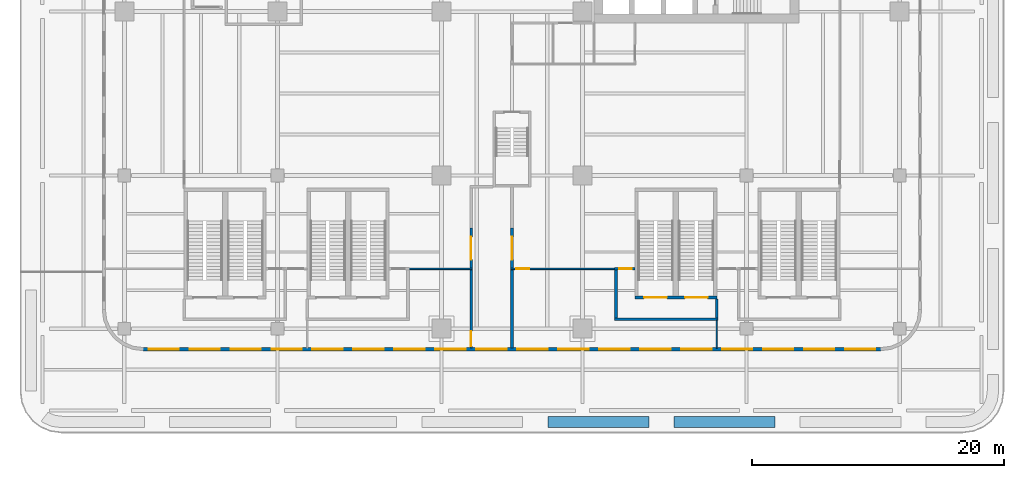
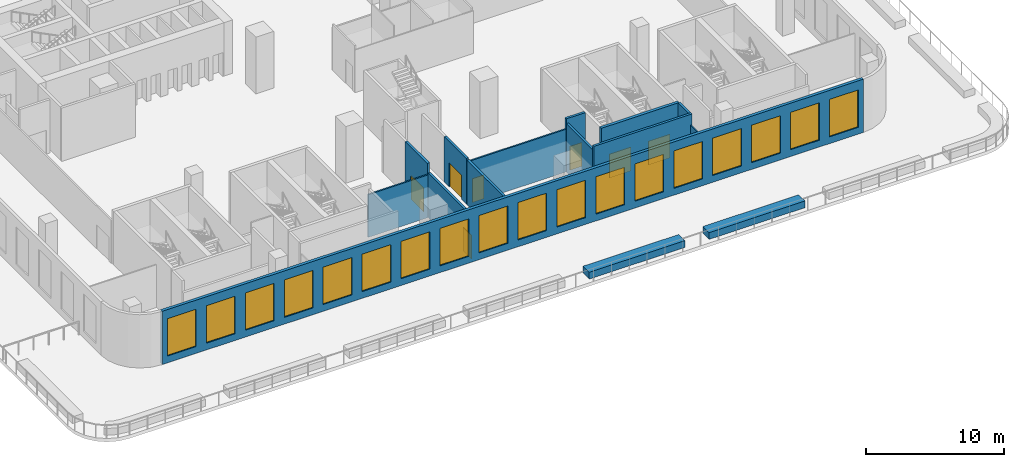
# One storey, part 6 of 17: 18 windows, 15 walls, 7 doors, 25 openings.
"""IFC4 building model written with IfcOpenShell, lengths in metres."""

from ifc_helpers import new_model, si_unit, direction, frame, frame_2d, origin, place, context, subcontext, project, spatial, polyline, rectangle, outline, extrude, source, transform, mapped, material, layer, layer_set, type_object, element, fill, save


model = new_model("IFC4")

# Units and contexts
model_context = context("Model", 3, precision=1e-05, world=origin(), true_north=direction((0.0, 1.0)))
body_context = subcontext(model_context, "Body", "Model", "MODEL_VIEW")
ifc_project = project(units=[si_unit("LENGTHUNIT", "METRE"), si_unit("AREAUNIT", "SQUARE_METRE"), si_unit("VOLUMEUNIT", "CUBIC_METRE"), si_unit("PLANEANGLEUNIT", "RADIAN"), si_unit("MASSUNIT", "GRAM", prefix="KILO")], contexts=[model_context])

# Site, building, storey
site_placement = place(None, origin())
site = spatial("IfcSite", under=ifc_project, at=site_placement, CompositionType="ELEMENT")
building_placement = place(site_placement, origin())
building = spatial("IfcBuilding", under=site, at=building_placement, Name="Trellis Farm Tower", CompositionType="ELEMENT")
storey_placement = place(building_placement, frame((0.0, 0.0, 24.0)))
storey = spatial("IfcBuildingStorey", under=building, at=storey_placement, Name="L04", CompositionType="ELEMENT", Elevation=24.0)

# Walls
ifc_material_1 = material(Name="Sandstone faced masonry planter", Category="masonry")
ifc_layer_1 = layer(ifc_material_1, 0.89990234375)
ifc_layer_set_1 = layer_set([ifc_layer_1], Name="TERRACE PLANTER BED 900")
wall_type_1 = type_object("IfcWallType", Name="TERRACE PLANTER BED 900", PredefinedType="USERDEFINED", material=ifc_layer_set_1)
placement = place(storey_placement, origin())
element("IfcWall", 1, at=placement, inside=storey, type_object=wall_type_1, Name="PLANTER bed", ObjectType="PLANTER", PredefinedType="USERDEFINED", context=body_context, shape_type="SweptSolid", body=[
    extrude(outline(polyline([(2.847412109375, -37.699951171875), (10.847412109375, -37.699951171875), (10.847412109375, -38.60009765625), (2.847412109375, -38.60009765625), (2.847412109375, -37.699951171875)])), origin(), (0.0, 0.0, 1.0), 0.60009765625),
])
element("IfcWall", 2, at=placement, inside=storey, type_object=wall_type_1, Name="PLANTER bed", ObjectType="PLANTER", PredefinedType="USERDEFINED", context=body_context, shape_type="SweptSolid", body=[
    extrude(outline(polyline([(12.847412109375, -37.699951171875), (20.847412109375, -37.699951171875), (20.847412109375, -38.60009765625), (12.847412109375, -38.60009765625), (12.847412109375, -37.699951171875)])), origin(), (0.0, 0.0, 1.0), 0.60009765625),
])

# Wall, openings, doors
ifc_material_2 = material(Name="Concrete C80/95", Category="concrete")
ifc_layer_2 = layer(ifc_material_2, 0.25)
ifc_layer_set_2 = layer_set([ifc_layer_2], Name="CORE STAIR ENCLOSURE WALL 250 CONCRETE C80/95")
wall_type_2 = type_object("IfcWallType", Name="CORE STAIR ENCLOSURE WALL 250 CONCRETE C80/95", PredefinedType="SHEAR", material=ifc_layer_set_2)
shared_shape_1 = source(origin(), body_context, "Body", "SweptSolid", [
    extrude(rectangle(XDim=6.5, YDim=0.25, at=frame_2d((3.25, 0.0))), origin(), (0.0, 0.0, 1.0), 4.699951171875),
])
wall_3_placement = place(storey_placement, frame((9.75, -28.27490234375, 0.0), z_axis=(0.0, 0.0, 1.0), x_axis=(1.0, 0.0, 0.0)))
wall_3 = element("IfcWall", 3, at=wall_3_placement, inside=storey, type_object=wall_type_2, Name="Podium stair enclosure wall", PredefinedType="SHEAR", context=body_context, shape_type="MappedRepresentation", body=[
    mapped(shared_shape_1, transform((0.0, 0.0, 0.0))),
])
shared_shape_2 = source(origin(), body_context, "Body", "SweptSolid", [
    extrude(rectangle(XDim=1.800048828125, YDim=2.10009765625, at=frame_2d((0.89990234375, 1.050048828125))), frame((0.0, 0.135009765625, 0.0), z_axis=(0.0, -1.0, 0.0), x_axis=(1.0, 0.0, 0.0)), (0.0, 0.0, 1.0), 0.27001953125),
])
opening_1_placement = place(wall_3_placement, frame((0.72509765625, 0.0, 0.0)))
opening_1 = element("IfcOpeningElement", 4, at=opening_1_placement, cuts=wall_3, Name="Opening DP13", PredefinedType="OPENING", context=body_context, shape_type="MappedRepresentation", body=[
    mapped(shared_shape_2, transform((0.0, 0.0, 0.0))),
])
opening_2_placement = place(wall_3_placement, frame((3.97509765625, 0.0, 0.0)))
opening_2 = element("IfcOpeningElement", 5, at=opening_2_placement, cuts=wall_3, Name="Opening DP14", PredefinedType="OPENING", context=body_context, shape_type="MappedRepresentation", body=[
    mapped(shared_shape_2, transform((0.0, 0.0, 0.0))),
])
ifc_material_3 = material(Name="Steel", Category="steel")
door_type_1 = type_object("IfcDoorType", Name="CORE FIRE DOOR DOUBLE 1800 X 2100", OperationType="DOUBLE_DOOR_SINGLE_SWING", PredefinedType="DOOR", material=ifc_material_3)
shared_shape_3 = source(origin(), body_context, "Body", "SweptSolid", [
    extrude(rectangle(XDim=1.800048828125, YDim=2.10009765625, at=frame_2d((0.89990234375, 1.050048828125))), frame((0.0, 0.02490234375, 0.0), z_axis=(0.0, -1.0, 0.0), x_axis=(1.0, 0.0, 0.0)), (0.0, 0.0, 1.0), 0.050048828125),
])
door_1_placement = place(opening_1_placement, origin())
door_1 = element("IfcDoor", 6, at=door_1_placement, inside=storey, type_object=door_type_1, Name="Podium stair door", OperationType="DOUBLE_DOOR_SINGLE_SWING", OverallHeight=2.10009765625, OverallWidth=1.800048828125, PredefinedType="DOOR", context=body_context, shape_type="MappedRepresentation", body=[
    mapped(shared_shape_3, transform((0.0, 0.0, 0.0))),
])
fill(opening_1, door_1)
door_2_placement = place(opening_2_placement, origin())
door_2 = element("IfcDoor", 7, at=door_2_placement, inside=storey, type_object=door_type_1, Name="Podium stair door", OperationType="DOUBLE_DOOR_SINGLE_SWING", OverallHeight=2.10009765625, OverallWidth=1.800048828125, PredefinedType="DOOR", context=body_context, shape_type="MappedRepresentation", body=[
    mapped(shared_shape_3, transform((0.0, 0.0, 0.0))),
])
fill(opening_2, door_2)

# Wall, openings, windows
ifc_material_4 = material(Name="Sandstone faced insulated wall", Category="masonry")
ifc_layer_3 = layer(ifc_material_4, 0.25)
ifc_layer_set_3 = layer_set([ifc_layer_3], Name="STONE CLAD EXTERNAL WALL 250")
wall_type_3 = type_object("IfcWallType", Name="STONE CLAD EXTERNAL WALL 250", PredefinedType="SOLIDWALL", material=ifc_layer_set_3)
shared_shape_4 = source(origin(), body_context, "Body", "SweptSolid", [
    extrude(rectangle(XDim=58.5, YDim=0.25, at=frame_2d((29.25, 0.0))), origin(), (0.0, 0.0, 1.0), 4.699951171875),
])
wall_4_placement = place(storey_placement, frame((-29.25, -32.375, 0.0), z_axis=(0.0, 0.0, 1.0), x_axis=(1.0, 0.0, 0.0)))
wall_4 = element("IfcWall", 8, at=wall_4_placement, inside=storey, type_object=wall_type_3, Name="EW5 F04", PredefinedType="SOLIDWALL", context=body_context, shape_type="MappedRepresentation", body=[
    mapped(shared_shape_4, transform((0.0, 0.0, 0.0))),
])
shared_shape_5 = source(origin(), body_context, "Body", "SweptSolid", [
    extrude(rectangle(XDim=2.39990234375, YDim=3.300048828125, at=frame_2d((1.199951171875, 1.64990234375))), frame((0.0, 0.135009765625, 0.0), z_axis=(0.0, -1.0, 0.0), x_axis=(1.0, 0.0, 0.0)), (0.0, 0.0, 1.0), 0.27001953125),
])
opening_3_placement = place(wall_4_placement, frame((0.425048828125, 0.0, 0.60009765625)))
opening_3 = element("IfcOpeningElement", 9, at=opening_3_placement, cuts=wall_4, Name="Opening WN3", PredefinedType="OPENING", context=body_context, shape_type="MappedRepresentation", body=[
    mapped(shared_shape_5, transform((0.0, 0.0, 0.0))),
])
opening_4_placement = place(wall_4_placement, frame((3.675048828125, 0.0, 0.60009765625)))
opening_4 = element("IfcOpeningElement", 10, at=opening_4_placement, cuts=wall_4, Name="Opening WN3", PredefinedType="OPENING", context=body_context, shape_type="MappedRepresentation", body=[
    mapped(shared_shape_5, transform((0.0, 0.0, 0.0))),
])
opening_5_placement = place(wall_4_placement, frame((6.925048828125, 0.0, 0.60009765625)))
opening_5 = element("IfcOpeningElement", 11, at=opening_5_placement, cuts=wall_4, Name="Opening WN3", PredefinedType="OPENING", context=body_context, shape_type="MappedRepresentation", body=[
    mapped(shared_shape_5, transform((0.0, 0.0, 0.0))),
])
opening_6_placement = place(wall_4_placement, frame((10.175048828125, 0.0, 0.60009765625)))
opening_6 = element("IfcOpeningElement", 12, at=opening_6_placement, cuts=wall_4, Name="Opening WN3", PredefinedType="OPENING", context=body_context, shape_type="MappedRepresentation", body=[
    mapped(shared_shape_5, transform((0.0, 0.0, 0.0))),
])
opening_7_placement = place(wall_4_placement, frame((13.425048828125, 0.0, 0.60009765625)))
opening_7 = element("IfcOpeningElement", 13, at=opening_7_placement, cuts=wall_4, Name="Opening WN3", PredefinedType="OPENING", context=body_context, shape_type="MappedRepresentation", body=[
    mapped(shared_shape_5, transform((0.0, 0.0, 0.0))),
])
opening_8_placement = place(wall_4_placement, frame((16.675048828125, 0.0, 0.60009765625)))
opening_8 = element("IfcOpeningElement", 14, at=opening_8_placement, cuts=wall_4, Name="Opening WN3", PredefinedType="OPENING", context=body_context, shape_type="MappedRepresentation", body=[
    mapped(shared_shape_5, transform((0.0, 0.0, 0.0))),
])
opening_9_placement = place(wall_4_placement, frame((19.925048828125, 0.0, 0.60009765625)))
opening_9 = element("IfcOpeningElement", 15, at=opening_9_placement, cuts=wall_4, Name="Opening WN3", PredefinedType="OPENING", context=body_context, shape_type="MappedRepresentation", body=[
    mapped(shared_shape_5, transform((0.0, 0.0, 0.0))),
])
opening_10_placement = place(wall_4_placement, frame((23.175048828125, 0.0, 0.60009765625)))
opening_10 = element("IfcOpeningElement", 16, at=opening_10_placement, cuts=wall_4, Name="Opening WN3", PredefinedType="OPENING", context=body_context, shape_type="MappedRepresentation", body=[
    mapped(shared_shape_5, transform((0.0, 0.0, 0.0))),
])
opening_11_placement = place(wall_4_placement, frame((26.425048828125, 0.0, 0.60009765625)))
opening_11 = element("IfcOpeningElement", 17, at=opening_11_placement, cuts=wall_4, Name="Opening WN3", PredefinedType="OPENING", context=body_context, shape_type="MappedRepresentation", body=[
    mapped(shared_shape_5, transform((0.0, 0.0, 0.0))),
])
opening_12_placement = place(wall_4_placement, frame((29.675048828125, 0.0, 0.60009765625)))
opening_12 = element("IfcOpeningElement", 18, at=opening_12_placement, cuts=wall_4, Name="Opening WN3", PredefinedType="OPENING", context=body_context, shape_type="MappedRepresentation", body=[
    mapped(shared_shape_5, transform((0.0, 0.0, 0.0))),
])
opening_13_placement = place(wall_4_placement, frame((32.925048828125, 0.0, 0.60009765625)))
opening_13 = element("IfcOpeningElement", 19, at=opening_13_placement, cuts=wall_4, Name="Opening WN3", PredefinedType="OPENING", context=body_context, shape_type="MappedRepresentation", body=[
    mapped(shared_shape_5, transform((0.0, 0.0, 0.0))),
])
opening_14_placement = place(wall_4_placement, frame((36.175048828125, 0.0, 0.60009765625)))
opening_14 = element("IfcOpeningElement", 20, at=opening_14_placement, cuts=wall_4, Name="Opening WN3", PredefinedType="OPENING", context=body_context, shape_type="MappedRepresentation", body=[
    mapped(shared_shape_5, transform((0.0, 0.0, 0.0))),
])
opening_15_placement = place(wall_4_placement, frame((39.425048828125, 0.0, 0.60009765625)))
opening_15 = element("IfcOpeningElement", 21, at=opening_15_placement, cuts=wall_4, Name="Opening WN3", PredefinedType="OPENING", context=body_context, shape_type="MappedRepresentation", body=[
    mapped(shared_shape_5, transform((0.0, 0.0, 0.0))),
])
opening_16_placement = place(wall_4_placement, frame((42.675048828125, 0.0, 0.60009765625)))
opening_16 = element("IfcOpeningElement", 22, at=opening_16_placement, cuts=wall_4, Name="Opening WN3", PredefinedType="OPENING", context=body_context, shape_type="MappedRepresentation", body=[
    mapped(shared_shape_5, transform((0.0, 0.0, 0.0))),
])
opening_17_placement = place(wall_4_placement, frame((45.925048828125, 0.0, 0.60009765625)))
opening_17 = element("IfcOpeningElement", 23, at=opening_17_placement, cuts=wall_4, Name="Opening WN3", PredefinedType="OPENING", context=body_context, shape_type="MappedRepresentation", body=[
    mapped(shared_shape_5, transform((0.0, 0.0, 0.0))),
])
opening_18_placement = place(wall_4_placement, frame((49.175048828125, 0.0, 0.60009765625)))
opening_18 = element("IfcOpeningElement", 24, at=opening_18_placement, cuts=wall_4, Name="Opening WN3", PredefinedType="OPENING", context=body_context, shape_type="MappedRepresentation", body=[
    mapped(shared_shape_5, transform((0.0, 0.0, 0.0))),
])
opening_19_placement = place(wall_4_placement, frame((52.425048828125, 0.0, 0.60009765625)))
opening_19 = element("IfcOpeningElement", 25, at=opening_19_placement, cuts=wall_4, Name="Opening WN3", PredefinedType="OPENING", context=body_context, shape_type="MappedRepresentation", body=[
    mapped(shared_shape_5, transform((0.0, 0.0, 0.0))),
])
opening_20_placement = place(wall_4_placement, frame((55.675048828125, 0.0, 0.60009765625)))
opening_20 = element("IfcOpeningElement", 26, at=opening_20_placement, cuts=wall_4, Name="Opening WN3", PredefinedType="OPENING", context=body_context, shape_type="MappedRepresentation", body=[
    mapped(shared_shape_5, transform((0.0, 0.0, 0.0))),
])
ifc_material_5 = material(Name="Clear insulated glass", Category="glass")
window_type = type_object("IfcWindowType", Name="PODIUM WINDOW 2400x3300", PartitioningType="SINGLE_PANEL", PredefinedType="WINDOW", material=ifc_material_5)
shared_shape_6 = source(origin(), body_context, "Body", "SweptSolid", [
    extrude(rectangle(XDim=2.39990234375, YDim=3.300048828125, at=frame_2d((1.199951171875, 1.64990234375))), frame((0.0, 0.030029296875, 0.0), z_axis=(0.0, -1.0, 0.0), x_axis=(1.0, 0.0, 0.0)), (0.0, 0.0, 1.0), 0.06005859375),
])
window_1_placement = place(opening_3_placement, origin())
window_1 = element("IfcWindow", 27, at=window_1_placement, inside=storey, type_object=window_type, Name="WN3 053", OverallHeight=3.300048828125, OverallWidth=2.39990234375, PartitioningType="SINGLE_PANEL", PredefinedType="WINDOW", context=body_context, shape_type="MappedRepresentation", body=[
    mapped(shared_shape_6, transform((0.0, 0.0, 0.0))),
])
fill(opening_3, window_1)
window_2_placement = place(opening_4_placement, origin())
window_2 = element("IfcWindow", 28, at=window_2_placement, inside=storey, type_object=window_type, Name="WN3 054", OverallHeight=3.300048828125, OverallWidth=2.39990234375, PartitioningType="SINGLE_PANEL", PredefinedType="WINDOW", context=body_context, shape_type="MappedRepresentation", body=[
    mapped(shared_shape_6, transform((0.0, 0.0, 0.0))),
])
fill(opening_4, window_2)
window_3_placement = place(opening_5_placement, origin())
window_3 = element("IfcWindow", 29, at=window_3_placement, inside=storey, type_object=window_type, Name="WN3 055", OverallHeight=3.300048828125, OverallWidth=2.39990234375, PartitioningType="SINGLE_PANEL", PredefinedType="WINDOW", context=body_context, shape_type="MappedRepresentation", body=[
    mapped(shared_shape_6, transform((0.0, 0.0, 0.0))),
])
fill(opening_5, window_3)
window_4_placement = place(opening_6_placement, origin())
window_4 = element("IfcWindow", 30, at=window_4_placement, inside=storey, type_object=window_type, Name="WN3 056", OverallHeight=3.300048828125, OverallWidth=2.39990234375, PartitioningType="SINGLE_PANEL", PredefinedType="WINDOW", context=body_context, shape_type="MappedRepresentation", body=[
    mapped(shared_shape_6, transform((0.0, 0.0, 0.0))),
])
fill(opening_6, window_4)
window_5_placement = place(opening_7_placement, origin())
window_5 = element("IfcWindow", 31, at=window_5_placement, inside=storey, type_object=window_type, Name="WN3 057", OverallHeight=3.300048828125, OverallWidth=2.39990234375, PartitioningType="SINGLE_PANEL", PredefinedType="WINDOW", context=body_context, shape_type="MappedRepresentation", body=[
    mapped(shared_shape_6, transform((0.0, 0.0, 0.0))),
])
fill(opening_7, window_5)
window_6_placement = place(opening_8_placement, origin())
window_6 = element("IfcWindow", 32, at=window_6_placement, inside=storey, type_object=window_type, Name="WN3 058", OverallHeight=3.300048828125, OverallWidth=2.39990234375, PartitioningType="SINGLE_PANEL", PredefinedType="WINDOW", context=body_context, shape_type="MappedRepresentation", body=[
    mapped(shared_shape_6, transform((0.0, 0.0, 0.0))),
])
fill(opening_8, window_6)
window_7_placement = place(opening_9_placement, origin())
window_7 = element("IfcWindow", 33, at=window_7_placement, inside=storey, type_object=window_type, Name="WN3 059", OverallHeight=3.300048828125, OverallWidth=2.39990234375, PartitioningType="SINGLE_PANEL", PredefinedType="WINDOW", context=body_context, shape_type="MappedRepresentation", body=[
    mapped(shared_shape_6, transform((0.0, 0.0, 0.0))),
])
fill(opening_9, window_7)
window_8_placement = place(opening_10_placement, origin())
window_8 = element("IfcWindow", 34, at=window_8_placement, inside=storey, type_object=window_type, Name="WN3 060", OverallHeight=3.300048828125, OverallWidth=2.39990234375, PartitioningType="SINGLE_PANEL", PredefinedType="WINDOW", context=body_context, shape_type="MappedRepresentation", body=[
    mapped(shared_shape_6, transform((0.0, 0.0, 0.0))),
])
fill(opening_10, window_8)
window_9_placement = place(opening_11_placement, origin())
window_9 = element("IfcWindow", 35, at=window_9_placement, inside=storey, type_object=window_type, Name="WN3 061", OverallHeight=3.300048828125, OverallWidth=2.39990234375, PartitioningType="SINGLE_PANEL", PredefinedType="WINDOW", context=body_context, shape_type="MappedRepresentation", body=[
    mapped(shared_shape_6, transform((0.0, 0.0, 0.0))),
])
fill(opening_11, window_9)
window_10_placement = place(opening_12_placement, origin())
window_10 = element("IfcWindow", 36, at=window_10_placement, inside=storey, type_object=window_type, Name="WN3 062", OverallHeight=3.300048828125, OverallWidth=2.39990234375, PartitioningType="SINGLE_PANEL", PredefinedType="WINDOW", context=body_context, shape_type="MappedRepresentation", body=[
    mapped(shared_shape_6, transform((0.0, 0.0, 0.0))),
])
fill(opening_12, window_10)
window_11_placement = place(opening_13_placement, origin())
window_11 = element("IfcWindow", 37, at=window_11_placement, inside=storey, type_object=window_type, Name="WN3 063", OverallHeight=3.300048828125, OverallWidth=2.39990234375, PartitioningType="SINGLE_PANEL", PredefinedType="WINDOW", context=body_context, shape_type="MappedRepresentation", body=[
    mapped(shared_shape_6, transform((0.0, 0.0, 0.0))),
])
fill(opening_13, window_11)
window_12_placement = place(opening_14_placement, origin())
window_12 = element("IfcWindow", 38, at=window_12_placement, inside=storey, type_object=window_type, Name="WN3 064", OverallHeight=3.300048828125, OverallWidth=2.39990234375, PartitioningType="SINGLE_PANEL", PredefinedType="WINDOW", context=body_context, shape_type="MappedRepresentation", body=[
    mapped(shared_shape_6, transform((0.0, 0.0, 0.0))),
])
fill(opening_14, window_12)
window_13_placement = place(opening_15_placement, origin())
window_13 = element("IfcWindow", 39, at=window_13_placement, inside=storey, type_object=window_type, Name="WN3 065", OverallHeight=3.300048828125, OverallWidth=2.39990234375, PartitioningType="SINGLE_PANEL", PredefinedType="WINDOW", context=body_context, shape_type="MappedRepresentation", body=[
    mapped(shared_shape_6, transform((0.0, 0.0, 0.0))),
])
fill(opening_15, window_13)
window_14_placement = place(opening_16_placement, origin())
window_14 = element("IfcWindow", 40, at=window_14_placement, inside=storey, type_object=window_type, Name="WN3 066", OverallHeight=3.300048828125, OverallWidth=2.39990234375, PartitioningType="SINGLE_PANEL", PredefinedType="WINDOW", context=body_context, shape_type="MappedRepresentation", body=[
    mapped(shared_shape_6, transform((0.0, 0.0, 0.0))),
])
fill(opening_16, window_14)
window_15_placement = place(opening_17_placement, origin())
window_15 = element("IfcWindow", 41, at=window_15_placement, inside=storey, type_object=window_type, Name="WN3 067", OverallHeight=3.300048828125, OverallWidth=2.39990234375, PartitioningType="SINGLE_PANEL", PredefinedType="WINDOW", context=body_context, shape_type="MappedRepresentation", body=[
    mapped(shared_shape_6, transform((0.0, 0.0, 0.0))),
])
fill(opening_17, window_15)
window_16_placement = place(opening_18_placement, origin())
window_16 = element("IfcWindow", 42, at=window_16_placement, inside=storey, type_object=window_type, Name="WN3 068", OverallHeight=3.300048828125, OverallWidth=2.39990234375, PartitioningType="SINGLE_PANEL", PredefinedType="WINDOW", context=body_context, shape_type="MappedRepresentation", body=[
    mapped(shared_shape_6, transform((0.0, 0.0, 0.0))),
])
fill(opening_18, window_16)
window_17_placement = place(opening_19_placement, origin())
window_17 = element("IfcWindow", 43, at=window_17_placement, inside=storey, type_object=window_type, Name="WN3 069", OverallHeight=3.300048828125, OverallWidth=2.39990234375, PartitioningType="SINGLE_PANEL", PredefinedType="WINDOW", context=body_context, shape_type="MappedRepresentation", body=[
    mapped(shared_shape_6, transform((0.0, 0.0, 0.0))),
])
fill(opening_19, window_17)
window_18_placement = place(opening_20_placement, origin())
window_18 = element("IfcWindow", 44, at=window_18_placement, inside=storey, type_object=window_type, Name="WN3 070", OverallHeight=3.300048828125, OverallWidth=2.39990234375, PartitioningType="SINGLE_PANEL", PredefinedType="WINDOW", context=body_context, shape_type="MappedRepresentation", body=[
    mapped(shared_shape_6, transform((0.0, 0.0, 0.0))),
])
fill(opening_20, window_18)

# Wall
ifc_material_6 = material(Name="Lightweight blockwork, plastered", Category="masonry")
ifc_layer_4 = layer(ifc_material_6, 0.199951171875)
ifc_layer_set_4 = layer_set([ifc_layer_4], Name="BLOCK WALL 200 EI 120")
wall_type_4 = type_object("IfcWallType", Name="BLOCK WALL 200 EI 120", PredefinedType="PARTITIONING", material=ifc_layer_set_4)
shared_shape_7 = source(origin(), body_context, "Body", "SweptSolid", [
    extrude(rectangle(XDim=8.2001953125, YDim=0.199951171875, at=frame_2d((4.10009765625, 0.0))), origin(), (0.0, 0.0, 1.0), 4.699951171875),
])
wall_5_placement = place(storey_placement, frame((8.14990234375, -30.0, 0.0), z_axis=(0.0, 0.0, 1.0), x_axis=(1.0, 0.0, 0.0)))
element("IfcWall", 45, at=wall_5_placement, inside=storey, type_object=wall_type_4, Name="Partition PW3", PredefinedType="PARTITIONING", context=body_context, shape_type="MappedRepresentation", body=[
    mapped(shared_shape_7, transform((0.0, 0.0, 0.0))),
])

# Wall, opening, door
shared_shape_8 = source(origin(), body_context, "Body", "SweptSolid", [
    extrude(rectangle(XDim=1.60009765625, YDim=0.199951171875, at=frame_2d((0.800048828125, 0.0))), origin(), (0.0, 0.0, 1.0), 4.699951171875),
])
wall_6_placement = place(storey_placement, frame((8.14990234375, -26.0, 0.0), z_axis=(0.0, 0.0, 1.0), x_axis=(1.0, 0.0, 0.0)))
wall_6 = element("IfcWall", 46, at=wall_6_placement, inside=storey, type_object=wall_type_4, Name="Partition PW3", PredefinedType="PARTITIONING", context=body_context, shape_type="MappedRepresentation", body=[
    mapped(shared_shape_8, transform((0.0, 0.0, 0.0))),
])
shared_shape_9 = source(origin(), body_context, "Body", "SweptSolid", [
    extrude(rectangle(XDim=1.0, YDim=2.10009765625, at=frame_2d((0.5, 1.050048828125))), frame((0.0, 0.110107421875, 0.0), z_axis=(0.0, -1.0, 0.0), x_axis=(1.0, 0.0, 0.0)), (0.0, 0.0, 1.0), 0.22021484375),
])
opening_21_placement = place(wall_6_placement, frame((0.35009765625, 0.0, 0.0)))
opening_21 = element("IfcOpeningElement", 47, at=opening_21_placement, cuts=wall_6, Name="Opening D303", PredefinedType="OPENING", context=body_context, shape_type="MappedRepresentation", body=[
    mapped(shared_shape_9, transform((0.0, 0.0, 0.0))),
])
ifc_material_7 = material(Name="Fire-rated timber door leaf in a hollow metal frame", Category="wood")
door_type_2 = type_object("IfcDoorType", Name="DOOR 1000x2100 FD60", OperationType="NOTDEFINED", PredefinedType="DOOR", material=ifc_material_7)
shared_shape_10 = source(origin(), body_context, "Body", "SweptSolid", [
    extrude(rectangle(XDim=1.0, YDim=2.10009765625, at=frame_2d((0.5, 1.050048828125))), frame((0.0, 0.02490234375, 0.0), z_axis=(0.0, -1.0, 0.0), x_axis=(1.0, 0.0, 0.0)), (0.0, 0.0, 1.0), 0.050048828125),
])
door_3_placement = place(opening_21_placement, origin())
door_3 = element("IfcDoor", 48, at=door_3_placement, inside=storey, type_object=door_type_2, Name="Door D303", OperationType="SINGLE_SWING_LEFT", OverallHeight=2.10009765625, OverallWidth=1.0, PredefinedType="DOOR", context=body_context, shape_type="MappedRepresentation", body=[
    mapped(shared_shape_10, transform((0.0, 0.0, 0.0))),
])
fill(opening_21, door_3)

shared_shape_11 = source(origin(), body_context, "Body", "SweptSolid", [
    extrude(rectangle(XDim=3.1875, YDim=0.199951171875, at=frame_2d((1.59375, 0.0))), origin(), (0.0, 0.0, 1.0), 4.699951171875),
])
wall_7_placement = place(storey_placement, frame((-3.25, -25.9375, 0.0), z_axis=(0.0, 0.0, 1.0), x_axis=(0.0, 1.0, 0.0)))
wall_7 = element("IfcWall", 49, at=wall_7_placement, inside=storey, type_object=wall_type_4, Name="Partition PW3", PredefinedType="PARTITIONING", context=body_context, shape_type="MappedRepresentation", body=[
    mapped(shared_shape_11, transform((0.0, 0.0, 0.0))),
])
shared_shape_12 = source(origin(), body_context, "Body", "SweptSolid", [
    extrude(rectangle(XDim=1.800048828125, YDim=2.10009765625, at=frame_2d((0.89990234375, 1.050048828125))), frame((0.0, 0.110107421875, 0.0), z_axis=(0.0, -1.0, 0.0), x_axis=(1.0, 0.0, 0.0)), (0.0, 0.0, 1.0), 0.22021484375),
])
opening_22_placement = place(wall_7_placement, frame((0.66259765625, 0.0, 0.0)))
opening_22 = element("IfcOpeningElement", 50, at=opening_22_placement, cuts=wall_7, Name="Opening D401", PredefinedType="OPENING", context=body_context, shape_type="MappedRepresentation", body=[
    mapped(shared_shape_12, transform((0.0, 0.0, 0.0))),
])
door_type_3 = type_object("IfcDoorType", Name="DOOR PAIR 1800x2100 FD60", OperationType="NOTDEFINED", PredefinedType="DOOR", material=ifc_material_7)
door_4_placement = place(opening_22_placement, origin())
door_4 = element("IfcDoor", 51, at=door_4_placement, inside=storey, type_object=door_type_3, Name="Door D401", OperationType="DOUBLE_DOOR_SINGLE_SWING", OverallHeight=2.10009765625, OverallWidth=1.800048828125, PredefinedType="DOOR", context=body_context, shape_type="MappedRepresentation", body=[
    mapped(shared_shape_3, transform((0.0, 0.0, 0.0))),
])
fill(opening_22, door_4)

shared_shape_13 = source(origin(), body_context, "Body", "SweptSolid", [
    extrude(rectangle(XDim=3.1875, YDim=0.199951171875, at=frame_2d((1.59375, 0.0))), origin(), (0.0, 0.0, 1.0), 3.996337890625),
])
wall_8_placement = place(storey_placement, frame((0.0, -22.75, 0.0), z_axis=(0.0, 0.0, 1.0), x_axis=(0.0, -1.0, 0.0)))
wall_8 = element("IfcWall", 52, at=wall_8_placement, inside=storey, type_object=wall_type_4, Name="Partition PW3", PredefinedType="PARTITIONING", context=body_context, shape_type="MappedRepresentation", body=[
    mapped(shared_shape_13, transform((0.0, 0.0, 0.0))),
])
opening_23_placement = place(wall_8_placement, frame((0.72509765625, 0.0, 0.0)))
opening_23 = element("IfcOpeningElement", 53, at=opening_23_placement, cuts=wall_8, Name="Opening D402", PredefinedType="OPENING", context=body_context, shape_type="MappedRepresentation", body=[
    mapped(shared_shape_12, transform((0.0, 0.0, 0.0))),
])
door_5_placement = place(opening_23_placement, origin())
door_5 = element("IfcDoor", 54, at=door_5_placement, inside=storey, type_object=door_type_3, Name="Door D402", OperationType="DOUBLE_DOOR_SINGLE_SWING", OverallHeight=2.10009765625, OverallWidth=1.800048828125, PredefinedType="DOOR", context=body_context, shape_type="MappedRepresentation", body=[
    mapped(shared_shape_3, transform((0.0, 0.0, 0.0))),
])
fill(opening_23, door_5)

# Wall
ifc_material_8 = material(Name="Plasterboard on steel studs, mineral wool", Category="steel")
ifc_layer_5 = layer(ifc_material_8, 0.125)
ifc_layer_set_5 = layer_set([ifc_layer_5], Name="PARTITION 125 STUD EI 60")
wall_type_5 = type_object("IfcWallType", Name="PARTITION 125 STUD EI 60", PredefinedType="PARTITIONING", material=ifc_layer_set_5)
shared_shape_14 = source(origin(), body_context, "Body", "SweptSolid", [
    extrude(rectangle(XDim=5.2001953125, YDim=0.125, at=frame_2d((2.60009765625, 0.0))), origin(), (0.0, 0.0, 1.0), 3.76171875),
])
wall_9_placement = place(storey_placement, frame((-3.14990234375, -26.0, 0.0), z_axis=(0.0, 0.0, 1.0), x_axis=(-1.0, 0.0, 0.0)))
element("IfcWall", 55, at=wall_9_placement, inside=storey, type_object=wall_type_5, Name="Partition PW1", PredefinedType="PARTITIONING", context=body_context, shape_type="MappedRepresentation", body=[
    mapped(shared_shape_14, transform((0.0, 0.0, 0.0))),
])

# Wall, opening, door
shared_shape_15 = source(origin(), body_context, "Body", "SweptSolid", [
    extrude(rectangle(XDim=8.4501953125, YDim=0.125, at=frame_2d((4.22509765625, 0.0))), origin(), (0.0, 0.0, 1.0), 3.76171875),
])
wall_10_placement = place(storey_placement, frame((8.35009765625, -26.0, 0.0), z_axis=(0.0, 0.0, 1.0), x_axis=(-1.0, 0.0, 0.0)))
wall_10 = element("IfcWall", 56, at=wall_10_placement, inside=storey, type_object=wall_type_5, Name="Partition PW1", PredefinedType="PARTITIONING", context=body_context, shape_type="MappedRepresentation", body=[
    mapped(shared_shape_15, transform((0.0, 0.0, 0.0))),
])
shared_shape_16 = source(origin(), body_context, "Body", "SweptSolid", [
    extrude(rectangle(XDim=1.0, YDim=2.10009765625, at=frame_2d((0.5, 1.050048828125))), frame((0.0, 0.072509765625, 0.0), z_axis=(0.0, -1.0, 0.0), x_axis=(1.0, 0.0, 0.0)), (0.0, 0.0, 1.0), 0.14501953125),
])
opening_24_placement = place(wall_10_placement, frame((7.0, 0.0, 0.0)))
opening_24 = element("IfcOpeningElement", 57, at=opening_24_placement, cuts=wall_10, Name="Opening D101", PredefinedType="OPENING", context=body_context, shape_type="MappedRepresentation", body=[
    mapped(shared_shape_16, transform((0.0, 0.0, 0.0))),
])
door_type_4 = type_object("IfcDoorType", Name="DOOR 1000x2100 FD30S", OperationType="NOTDEFINED", PredefinedType="DOOR", material=ifc_material_7)
door_6_placement = place(opening_24_placement, origin())
door_6 = element("IfcDoor", 58, at=door_6_placement, inside=storey, type_object=door_type_4, Name="Door D101", OperationType="SINGLE_SWING_RIGHT", OverallHeight=2.10009765625, OverallWidth=1.0, PredefinedType="DOOR", context=body_context, shape_type="MappedRepresentation", body=[
    mapped(shared_shape_10, transform((0.0, 0.0, 0.0))),
])
fill(opening_24, door_6)

# Walls
shared_shape_17 = source(origin(), body_context, "Body", "SweptSolid", [
    extrude(rectangle(XDim=1.5, YDim=0.199951171875, at=frame_2d((0.75, 0.0))), origin(), (0.0, 0.0, 1.0), 4.699951171875),
])
wall_11_placement = place(storey_placement, frame((16.25, -28.39990234375, 0.0), z_axis=(0.0, 0.0, 1.0), x_axis=(0.0, -1.0, 0.0)))
element("IfcWall", 59, at=wall_11_placement, inside=storey, type_object=wall_type_4, Name="Partition PW3", PredefinedType="PARTITIONING", context=body_context, shape_type="MappedRepresentation", body=[
    mapped(shared_shape_17, transform((0.0, 0.0, 0.0))),
])
shared_shape_18 = source(origin(), body_context, "Body", "SweptSolid", [
    extrude(rectangle(XDim=3.7998046875, YDim=0.199951171875, at=frame_2d((1.89990234375, 0.0))), origin(), (0.0, 0.0, 1.0), 4.273681640625),
])
wall_12_placement = place(storey_placement, frame((8.25, -29.89990234375, 0.0), z_axis=(0.0, 0.0, 1.0), x_axis=(0.0, 1.0, 0.0)))
element("IfcWall", 60, at=wall_12_placement, inside=storey, type_object=wall_type_4, Name="Partition PW3", PredefinedType="PARTITIONING", context=body_context, shape_type="MappedRepresentation", body=[
    mapped(shared_shape_18, transform((0.0, 0.0, 0.0))),
])

# Wall, opening, door
shared_shape_19 = source(origin(), body_context, "Body", "SweptSolid", [
    extrude(rectangle(XDim=6.237548828125, YDim=0.199951171875, at=frame_2d((3.11865234375, 0.0))), origin(), (0.0, 0.0, 1.0), 3.917724609375),
])
wall_13_placement = place(storey_placement, frame((-3.25, -32.300048828125, 0.0), z_axis=(0.0, 0.0, 1.0), x_axis=(0.0, 1.0, 0.0)))
wall_13 = element("IfcWall", 61, at=wall_13_placement, inside=storey, type_object=wall_type_4, Name="Partition PW3", PredefinedType="PARTITIONING", context=body_context, shape_type="MappedRepresentation", body=[
    mapped(shared_shape_19, transform((0.0, 0.0, 0.0))),
])
shared_shape_20 = source(origin(), body_context, "Body", "SweptSolid", [
    extrude(rectangle(XDim=1.199951171875, YDim=2.10009765625, at=frame_2d((0.60009765625, 1.050048828125))), frame((0.0, 0.110107421875, 0.0), z_axis=(0.0, -1.0, 0.0), x_axis=(1.0, 0.0, 0.0)), (0.0, 0.0, 1.0), 0.22021484375),
])
opening_25_placement = place(wall_13_placement, frame((0.14990234375, 0.0, 0.0)))
opening_25 = element("IfcOpeningElement", 62, at=opening_25_placement, cuts=wall_13, Name="Opening D601", PredefinedType="OPENING", context=body_context, shape_type="MappedRepresentation", body=[
    mapped(shared_shape_20, transform((0.0, 0.0, 0.0))),
])
door_type_5 = type_object("IfcDoorType", Name="DOOR 1200x2100 FD30S", OperationType="NOTDEFINED", PredefinedType="DOOR", material=ifc_material_7)
shared_shape_21 = source(origin(), body_context, "Body", "SweptSolid", [
    extrude(rectangle(XDim=1.199951171875, YDim=2.10009765625, at=frame_2d((0.60009765625, 1.050048828125))), frame((0.0, 0.02490234375, 0.0), z_axis=(0.0, -1.0, 0.0), x_axis=(1.0, 0.0, 0.0)), (0.0, 0.0, 1.0), 0.050048828125),
])
door_7_placement = place(opening_25_placement, origin())
door_7 = element("IfcDoor", 63, at=door_7_placement, inside=storey, type_object=door_type_5, Name="Door D601", OperationType="SINGLE_SWING_LEFT", OverallHeight=2.10009765625, OverallWidth=1.199951171875, PredefinedType="DOOR", context=body_context, shape_type="MappedRepresentation", body=[
    mapped(shared_shape_21, transform((0.0, 0.0, 0.0))),
])
fill(opening_25, door_7)

# Walls
wall_14_placement = place(storey_placement, frame((0.0, -26.0625, 0.0), z_axis=(0.0, 0.0, 1.0), x_axis=(0.0, -1.0, 0.0)))
element("IfcWall", 64, at=wall_14_placement, inside=storey, type_object=wall_type_4, Name="Partition PW3", PredefinedType="PARTITIONING", context=body_context, shape_type="MappedRepresentation", body=[
    mapped(shared_shape_19, transform((0.0, 0.0, 0.0))),
])
ifc_material_9 = material(Name="Plasterboard on steel studs", Category="steel")
ifc_layer_6 = layer(ifc_material_9, 0.10009765625)
ifc_layer_set_6 = layer_set([ifc_layer_6], Name="PARTITION 100 STUD EI 30")
wall_type_6 = type_object("IfcWallType", Name="PARTITION 100 STUD EI 30", PredefinedType="PARTITIONING", material=ifc_layer_set_6)
shared_shape_22 = source(origin(), body_context, "Body", "SweptSolid", [
    extrude(rectangle(XDim=2.199951171875, YDim=0.10009765625, at=frame_2d((1.10009765625, 0.0))), origin(), (0.0, 0.0, 1.0), 3.76171875),
])
wall_15_placement = place(storey_placement, frame((16.25, -32.300048828125, 0.0), z_axis=(0.0, 0.0, 1.0), x_axis=(0.0, 1.0, 0.0)))
element("IfcWall", 65, at=wall_15_placement, inside=storey, type_object=wall_type_6, Name="Partition PW2", PredefinedType="PARTITIONING", context=body_context, shape_type="MappedRepresentation", body=[
    mapped(shared_shape_22, transform((0.0, 0.0, 0.0))),
])

save(model, "model.ifc")
